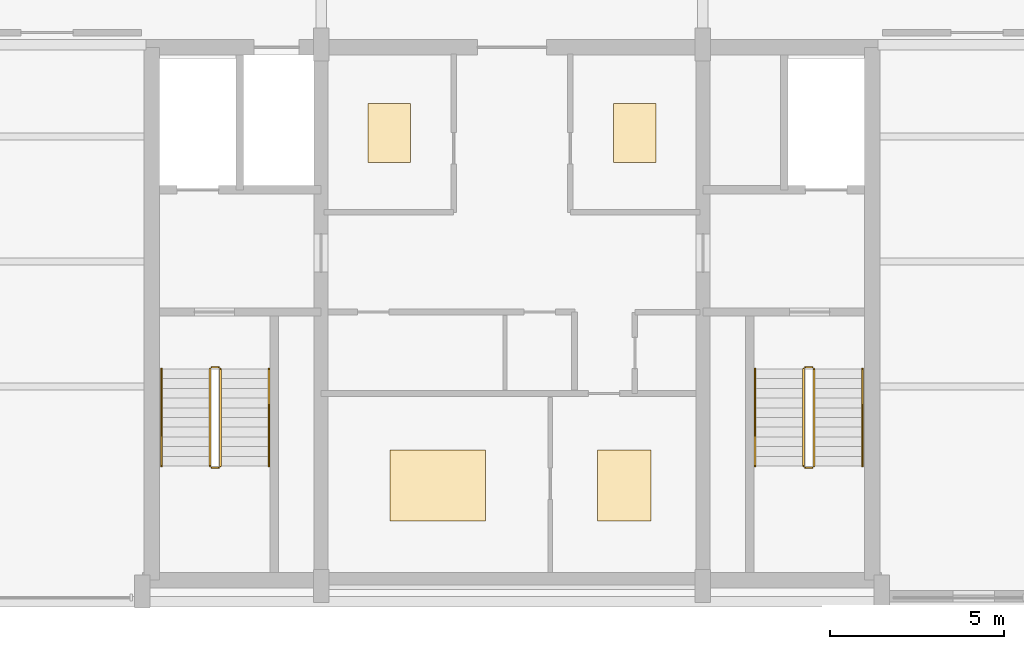
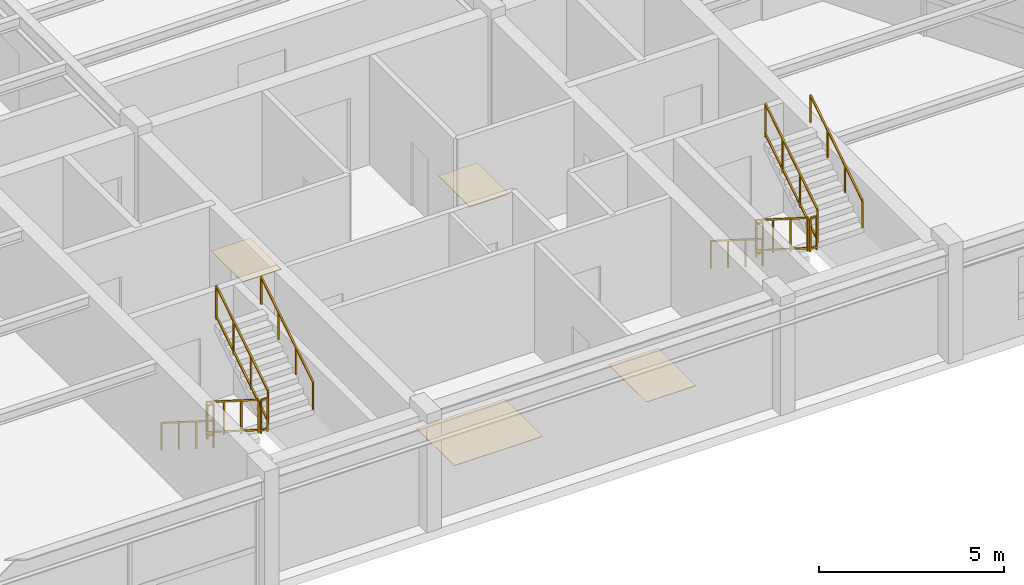
# One storey, part 12 of 12: 12 railings, 4 coverings.
"""IFC4 building model written with IfcOpenShell, lengths in metres."""

from ifc_helpers import new_model, si_unit, direction, frame, origin, origin_2d, place, context, subcontext, project, spatial, rectangle, extrude, source, transform, mapped, material, layer, layer_set, type_object, element, save


model = new_model("IFC4")

# Units and contexts
model_context = context("Model", 3, precision=1e-05, world=origin(), true_north=direction((0.0, 1.0)))
body_context = subcontext(model_context, "Body", "Model", "MODEL_VIEW")
ifc_project = project(units=[si_unit("LENGTHUNIT", "METRE"), si_unit("AREAUNIT", "SQUARE_METRE"), si_unit("VOLUMEUNIT", "CUBIC_METRE"), si_unit("PLANEANGLEUNIT", "RADIAN"), si_unit("MASSUNIT", "GRAM", prefix="KILO")], contexts=[model_context])

# Site, building, storey
site_placement = place(None, origin())
site = spatial("IfcSite", under=ifc_project, at=site_placement, CompositionType="ELEMENT")
building_placement = place(site_placement, origin())
building = spatial("IfcBuilding", under=site, at=building_placement, Name="Varnakhor Terracotta Tower", CompositionType="ELEMENT")
storey_placement = place(building_placement, frame((0.0, 0.0, 309.699951171875)))
storey = spatial("IfcBuildingStorey", under=building, at=storey_placement, Name="L81 Crown", CompositionType="ELEMENT", Elevation=309.699951171875)

# Railings
ifc_material_1 = material(Name="Painted Steel Stairwell Guardrail", Category="steel")
railing_type_1 = type_object("IfcRailingType", Name="RLG-STAIR-GUARD-1120", PredefinedType="GUARDRAIL", material=ifc_material_1)
railing_1_placement = place(storey_placement, frame((-8.699951171875, 6.7099609375, 0.17724609375)))
element("IfcRailing", 1, at=railing_1_placement, inside=storey, type_object=railing_type_1, Name="L81 Crown ST-1 stair guard 1", PredefinedType="GUARDRAIL", context=body_context, shape_type="SweptSolid", body=[
    extrude(rectangle(XDim=0.048095703125, YDim=0.048095703125, at=origin_2d()), frame((0.0, 0.0, 1.09619140625), z_axis=(0.0, -0.844908973607, 0.534910110503), x_axis=(1.0, 0.0, 0.0)), (0.0, 0.0, 1.0), 3.31396484375),
    extrude(rectangle(XDim=0.048095703125, YDim=0.048095703125, at=origin_2d()), frame((0.0, 0.0, 0.10009765625), z_axis=(0.0, -0.844908973607, 0.534910110503), x_axis=(1.0, 0.0, 0.0)), (0.0, 0.0, 1.0), 3.31396484375),
    extrude(rectangle(XDim=0.0419921875, YDim=0.0419921875, at=origin_2d()), origin(), (0.0, 0.0, 1.0), 1.072021484375),
    extrude(rectangle(XDim=0.0419921875, YDim=0.0419921875, at=origin_2d()), frame((0.0, -0.933349609375, 0.5908203125)), (0.0, 0.0, 1.0), 1.072021484375),
    extrude(rectangle(XDim=0.0419921875, YDim=0.0419921875, at=origin_2d()), frame((0.0, -1.86669921875, 1.181884765625)), (0.0, 0.0, 1.0), 1.072021484375),
    extrude(rectangle(XDim=0.0419921875, YDim=0.0419921875, at=origin_2d()), frame((0.0, -2.800048828125, 1.772705078125)), (0.0, 0.0, 1.0), 1.072021484375),
])
railing_2_placement = place(storey_placement, frame((-8.64990234375, 3.860107421875, 1.949951171875)))
element("IfcRailing", 2, at=railing_2_placement, inside=storey, type_object=railing_type_1, Name="L81 Crown ST-1 stair guard 2", PredefinedType="GUARDRAIL", context=body_context, shape_type="SweptSolid", body=[
    extrude(rectangle(XDim=0.048095703125, YDim=0.048095703125, at=origin_2d()), frame((0.0, 0.0, 1.09619140625), z_axis=(1.0, 0.0, 0.0), x_axis=(0.0, 1.0, 0.0)), (0.0, 0.0, 1.0), 0.199951171875),
    extrude(rectangle(XDim=0.048095703125, YDim=0.048095703125, at=origin_2d()), frame((0.0, 0.0, 0.10009765625), z_axis=(1.0, 0.0, 0.0), x_axis=(0.0, 1.0, 0.0)), (0.0, 0.0, 1.0), 0.199951171875),
    extrude(rectangle(XDim=0.0419921875, YDim=0.0419921875, at=origin_2d()), origin(), (0.0, 0.0, 1.0), 1.072021484375),
    extrude(rectangle(XDim=0.0419921875, YDim=0.0419921875, at=origin_2d()), frame((0.199951171875, 0.0, 0.0)), (0.0, 0.0, 1.0), 1.072021484375),
])
railing_3_placement = place(storey_placement, frame((-8.39990234375, 3.909912109375, 2.12744140625)))
element("IfcRailing", 3, at=railing_3_placement, inside=storey, type_object=railing_type_1, Name="L81 Crown ST-1 stair guard 3", PredefinedType="GUARDRAIL", context=body_context, shape_type="SweptSolid", body=[
    extrude(rectangle(XDim=0.048095703125, YDim=0.048095703125, at=origin_2d()), frame((0.0, 0.0, 1.09619140625), z_axis=(0.0, 0.844908973607, 0.534910110503), x_axis=(-1.0, 0.0, 0.0)), (0.0, 0.0, 1.0), 3.31396484375),
    extrude(rectangle(XDim=0.048095703125, YDim=0.048095703125, at=origin_2d()), frame((0.0, 0.0, 0.10009765625), z_axis=(0.0, 0.844908973607, 0.534910110503), x_axis=(-1.0, 0.0, 0.0)), (0.0, 0.0, 1.0), 3.31396484375),
    extrude(rectangle(XDim=0.0419921875, YDim=0.0419921875, at=origin_2d()), origin(), (0.0, 0.0, 1.0), 1.072021484375),
    extrude(rectangle(XDim=0.0419921875, YDim=0.0419921875, at=origin_2d()), frame((0.0, 0.933349609375, 0.5908203125)), (0.0, 0.0, 1.0), 1.072021484375),
    extrude(rectangle(XDim=0.0419921875, YDim=0.0419921875, at=origin_2d()), frame((0.0, 1.86669921875, 1.181884765625)), (0.0, 0.0, 1.0), 1.072021484375),
    extrude(rectangle(XDim=0.0419921875, YDim=0.0419921875, at=origin_2d()), frame((0.0, 2.800048828125, 1.772705078125)), (0.0, 0.0, 1.0), 1.072021484375),
])
railing_4_placement = place(storey_placement, frame((-8.64990234375, 6.760009765625, 0.0)))
element("IfcRailing", 4, at=railing_4_placement, inside=storey, type_object=railing_type_1, Name="L81 Crown ST-1 stair guard 4", PredefinedType="GUARDRAIL", context=body_context, shape_type="SweptSolid", body=[
    extrude(rectangle(XDim=0.048095703125, YDim=0.048095703125, at=origin_2d()), frame((0.0, 0.0, 1.09619140625), z_axis=(1.0, 0.0, 0.0), x_axis=(0.0, 1.0, 0.0)), (0.0, 0.0, 1.0), 0.199951171875),
    extrude(rectangle(XDim=0.048095703125, YDim=0.048095703125, at=origin_2d()), frame((0.0, 0.0, 0.10009765625), z_axis=(1.0, 0.0, 0.0), x_axis=(0.0, 1.0, 0.0)), (0.0, 0.0, 1.0), 0.199951171875),
    extrude(rectangle(XDim=0.0419921875, YDim=0.0419921875, at=origin_2d()), origin(), (0.0, 0.0, 1.0), 1.072021484375),
    extrude(rectangle(XDim=0.0419921875, YDim=0.0419921875, at=origin_2d()), frame((0.199951171875, 0.0, 0.0)), (0.0, 0.0, 1.0), 1.072021484375),
])
railing_5_placement = place(storey_placement, frame((8.39990234375, 6.7099609375, 0.17724609375)))
element("IfcRailing", 5, at=railing_5_placement, inside=storey, type_object=railing_type_1, Name="L81 Crown ST-2 stair guard 1", PredefinedType="GUARDRAIL", context=body_context, shape_type="SweptSolid", body=[
    extrude(rectangle(XDim=0.048095703125, YDim=0.048095703125, at=origin_2d()), frame((0.0, 0.0, 1.09619140625), z_axis=(0.0, -0.844908973607, 0.534910110503), x_axis=(1.0, 0.0, 0.0)), (0.0, 0.0, 1.0), 3.31396484375),
    extrude(rectangle(XDim=0.048095703125, YDim=0.048095703125, at=origin_2d()), frame((0.0, 0.0, 0.10009765625), z_axis=(0.0, -0.844908973607, 0.534910110503), x_axis=(1.0, 0.0, 0.0)), (0.0, 0.0, 1.0), 3.31396484375),
    extrude(rectangle(XDim=0.0419921875, YDim=0.0419921875, at=origin_2d()), origin(), (0.0, 0.0, 1.0), 1.072021484375),
    extrude(rectangle(XDim=0.0419921875, YDim=0.0419921875, at=origin_2d()), frame((0.0, -0.933349609375, 0.5908203125)), (0.0, 0.0, 1.0), 1.072021484375),
    extrude(rectangle(XDim=0.0419921875, YDim=0.0419921875, at=origin_2d()), frame((0.0, -1.86669921875, 1.181884765625)), (0.0, 0.0, 1.0), 1.072021484375),
    extrude(rectangle(XDim=0.0419921875, YDim=0.0419921875, at=origin_2d()), frame((0.0, -2.800048828125, 1.772705078125)), (0.0, 0.0, 1.0), 1.072021484375),
])
railing_6_placement = place(storey_placement, frame((8.449951171875, 3.860107421875, 1.949951171875)))
element("IfcRailing", 6, at=railing_6_placement, inside=storey, type_object=railing_type_1, Name="L81 Crown ST-2 stair guard 2", PredefinedType="GUARDRAIL", context=body_context, shape_type="SweptSolid", body=[
    extrude(rectangle(XDim=0.048095703125, YDim=0.048095703125, at=origin_2d()), frame((0.0, 0.0, 1.09619140625), z_axis=(1.0, 0.0, 0.0), x_axis=(0.0, 1.0, 0.0)), (0.0, 0.0, 1.0), 0.199951171875),
    extrude(rectangle(XDim=0.048095703125, YDim=0.048095703125, at=origin_2d()), frame((0.0, 0.0, 0.10009765625), z_axis=(1.0, 0.0, 0.0), x_axis=(0.0, 1.0, 0.0)), (0.0, 0.0, 1.0), 0.199951171875),
    extrude(rectangle(XDim=0.0419921875, YDim=0.0419921875, at=origin_2d()), origin(), (0.0, 0.0, 1.0), 1.072021484375),
    extrude(rectangle(XDim=0.0419921875, YDim=0.0419921875, at=origin_2d()), frame((0.199951171875, 0.0, 0.0)), (0.0, 0.0, 1.0), 1.072021484375),
])
railing_7_placement = place(storey_placement, frame((8.699951171875, 3.909912109375, 2.12744140625)))
element("IfcRailing", 7, at=railing_7_placement, inside=storey, type_object=railing_type_1, Name="L81 Crown ST-2 stair guard 3", PredefinedType="GUARDRAIL", context=body_context, shape_type="SweptSolid", body=[
    extrude(rectangle(XDim=0.048095703125, YDim=0.048095703125, at=origin_2d()), frame((0.0, 0.0, 1.09619140625), z_axis=(0.0, 0.844908973607, 0.534910110503), x_axis=(-1.0, 0.0, 0.0)), (0.0, 0.0, 1.0), 3.31396484375),
    extrude(rectangle(XDim=0.048095703125, YDim=0.048095703125, at=origin_2d()), frame((0.0, 0.0, 0.10009765625), z_axis=(0.0, 0.844908973607, 0.534910110503), x_axis=(-1.0, 0.0, 0.0)), (0.0, 0.0, 1.0), 3.31396484375),
    extrude(rectangle(XDim=0.0419921875, YDim=0.0419921875, at=origin_2d()), origin(), (0.0, 0.0, 1.0), 1.072021484375),
    extrude(rectangle(XDim=0.0419921875, YDim=0.0419921875, at=origin_2d()), frame((0.0, 0.933349609375, 0.5908203125)), (0.0, 0.0, 1.0), 1.072021484375),
    extrude(rectangle(XDim=0.0419921875, YDim=0.0419921875, at=origin_2d()), frame((0.0, 1.86669921875, 1.181884765625)), (0.0, 0.0, 1.0), 1.072021484375),
    extrude(rectangle(XDim=0.0419921875, YDim=0.0419921875, at=origin_2d()), frame((0.0, 2.800048828125, 1.772705078125)), (0.0, 0.0, 1.0), 1.072021484375),
])
railing_8_placement = place(storey_placement, frame((8.449951171875, 6.760009765625, 0.0)))
element("IfcRailing", 8, at=railing_8_placement, inside=storey, type_object=railing_type_1, Name="L81 Crown ST-2 stair guard 4", PredefinedType="GUARDRAIL", context=body_context, shape_type="SweptSolid", body=[
    extrude(rectangle(XDim=0.048095703125, YDim=0.048095703125, at=origin_2d()), frame((0.0, 0.0, 1.09619140625), z_axis=(1.0, 0.0, 0.0), x_axis=(0.0, 1.0, 0.0)), (0.0, 0.0, 1.0), 0.199951171875),
    extrude(rectangle(XDim=0.048095703125, YDim=0.048095703125, at=origin_2d()), frame((0.0, 0.0, 0.10009765625), z_axis=(1.0, 0.0, 0.0), x_axis=(0.0, 1.0, 0.0)), (0.0, 0.0, 1.0), 0.199951171875),
    extrude(rectangle(XDim=0.0419921875, YDim=0.0419921875, at=origin_2d()), origin(), (0.0, 0.0, 1.0), 1.072021484375),
    extrude(rectangle(XDim=0.0419921875, YDim=0.0419921875, at=origin_2d()), frame((0.199951171875, 0.0, 0.0)), (0.0, 0.0, 1.0), 1.072021484375),
])
ifc_material_2 = material(Name="Brushed Stainless Steel Handrail", Category="steel")
railing_type_2 = type_object("IfcRailingType", Name="RLG-STAIR-HANDRAIL-920", PredefinedType="HANDRAIL", material=ifc_material_2)
railing_9_placement = place(storey_placement, frame((-10.10009765625, 6.7099609375, 0.17724609375)))
element("IfcRailing", 9, at=railing_9_placement, inside=storey, type_object=railing_type_2, Name="L81 Crown ST-1 stair handrail 1", PredefinedType="HANDRAIL", context=body_context, shape_type="SweptSolid", body=[
    extrude(rectangle(XDim=0.048095703125, YDim=0.048095703125, at=origin_2d()), frame((0.0, 0.0, 0.89599609375), z_axis=(0.0, -0.844908973607, 0.534910110503), x_axis=(1.0, 0.0, 0.0)), (0.0, 0.0, 1.0), 3.31396484375),
    extrude(rectangle(XDim=0.0419921875, YDim=0.0419921875, at=origin_2d()), origin(), (0.0, 0.0, 1.0), 0.871826171875),
    extrude(rectangle(XDim=0.0419921875, YDim=0.0419921875, at=origin_2d()), frame((0.0, -0.933349609375, 0.5908203125)), (0.0, 0.0, 1.0), 0.871826171875),
    extrude(rectangle(XDim=0.0419921875, YDim=0.0419921875, at=origin_2d()), frame((0.0, -1.86669921875, 1.181884765625)), (0.0, 0.0, 1.0), 0.871826171875),
    extrude(rectangle(XDim=0.0419921875, YDim=0.0419921875, at=origin_2d()), frame((0.0, -2.800048828125, 1.772705078125)), (0.0, 0.0, 1.0), 0.871826171875),
])
railing_10_placement = place(storey_placement, frame((-7.0, 3.909912109375, 2.12744140625)))
element("IfcRailing", 10, at=railing_10_placement, inside=storey, type_object=railing_type_2, Name="L81 Crown ST-1 stair handrail 2", PredefinedType="HANDRAIL", context=body_context, shape_type="SweptSolid", body=[
    extrude(rectangle(XDim=0.048095703125, YDim=0.048095703125, at=origin_2d()), frame((0.0, 0.0, 0.89599609375), z_axis=(0.0, 0.844908973607, 0.534910110503), x_axis=(-1.0, 0.0, 0.0)), (0.0, 0.0, 1.0), 3.31396484375),
    extrude(rectangle(XDim=0.0419921875, YDim=0.0419921875, at=origin_2d()), origin(), (0.0, 0.0, 1.0), 0.871826171875),
    extrude(rectangle(XDim=0.0419921875, YDim=0.0419921875, at=origin_2d()), frame((0.0, 0.933349609375, 0.5908203125)), (0.0, 0.0, 1.0), 0.871826171875),
    extrude(rectangle(XDim=0.0419921875, YDim=0.0419921875, at=origin_2d()), frame((0.0, 1.86669921875, 1.181884765625)), (0.0, 0.0, 1.0), 0.871826171875),
    extrude(rectangle(XDim=0.0419921875, YDim=0.0419921875, at=origin_2d()), frame((0.0, 2.800048828125, 1.772705078125)), (0.0, 0.0, 1.0), 0.871826171875),
])
railing_11_placement = place(storey_placement, frame((7.0, 6.7099609375, 0.17724609375)))
element("IfcRailing", 11, at=railing_11_placement, inside=storey, type_object=railing_type_2, Name="L81 Crown ST-2 stair handrail 1", PredefinedType="HANDRAIL", context=body_context, shape_type="SweptSolid", body=[
    extrude(rectangle(XDim=0.048095703125, YDim=0.048095703125, at=origin_2d()), frame((0.0, 0.0, 0.89599609375), z_axis=(0.0, -0.844908973607, 0.534910110503), x_axis=(1.0, 0.0, 0.0)), (0.0, 0.0, 1.0), 3.31396484375),
    extrude(rectangle(XDim=0.0419921875, YDim=0.0419921875, at=origin_2d()), origin(), (0.0, 0.0, 1.0), 0.871826171875),
    extrude(rectangle(XDim=0.0419921875, YDim=0.0419921875, at=origin_2d()), frame((0.0, -0.933349609375, 0.5908203125)), (0.0, 0.0, 1.0), 0.871826171875),
    extrude(rectangle(XDim=0.0419921875, YDim=0.0419921875, at=origin_2d()), frame((0.0, -1.86669921875, 1.181884765625)), (0.0, 0.0, 1.0), 0.871826171875),
    extrude(rectangle(XDim=0.0419921875, YDim=0.0419921875, at=origin_2d()), frame((0.0, -2.800048828125, 1.772705078125)), (0.0, 0.0, 1.0), 0.871826171875),
])
railing_12_placement = place(storey_placement, frame((10.10009765625, 3.909912109375, 2.12744140625)))
element("IfcRailing", 12, at=railing_12_placement, inside=storey, type_object=railing_type_2, Name="L81 Crown ST-2 stair handrail 2", PredefinedType="HANDRAIL", context=body_context, shape_type="SweptSolid", body=[
    extrude(rectangle(XDim=0.048095703125, YDim=0.048095703125, at=origin_2d()), frame((0.0, 0.0, 0.89599609375), z_axis=(0.0, 0.844908973607, 0.534910110503), x_axis=(-1.0, 0.0, 0.0)), (0.0, 0.0, 1.0), 3.31396484375),
    extrude(rectangle(XDim=0.0419921875, YDim=0.0419921875, at=origin_2d()), origin(), (0.0, 0.0, 1.0), 0.871826171875),
    extrude(rectangle(XDim=0.0419921875, YDim=0.0419921875, at=origin_2d()), frame((0.0, 0.933349609375, 0.5908203125)), (0.0, 0.0, 1.0), 0.871826171875),
    extrude(rectangle(XDim=0.0419921875, YDim=0.0419921875, at=origin_2d()), frame((0.0, 1.86669921875, 1.181884765625)), (0.0, 0.0, 1.0), 0.871826171875),
    extrude(rectangle(XDim=0.0419921875, YDim=0.0419921875, at=origin_2d()), frame((0.0, 2.800048828125, 1.772705078125)), (0.0, 0.0, 1.0), 0.871826171875),
])

# Coverings
ifc_material_3 = material(Name="Insulated Elastomeric Waterproof Roofing Membrane", Category="other")
ifc_layer = layer(ifc_material_3, 0.034912109375, Name="Insulated Elastomeric Waterproof Roofing Membrane")
ifc_layer_set = layer_set([ifc_layer], Name="Insulated Elastomeric Waterproof Roofing Membrane")
covering_type = type_object("IfcCoveringType", Name="COV-ROOF-MEMBRANE", PredefinedType="ROOFING", material=ifc_layer_set)
shared_shape_1 = source(origin(), body_context, "Body", "SweptSolid", [
    extrude(rectangle(XDim=2.75, YDim=2.041015625, at=origin_2d()), origin(), (0.0, 0.0, 1.0), 0.014892578125),
])
covering_1_placement = place(storey_placement, frame((-2.139892578125, 3.35498046875, 0.0), z_axis=(0.0, 0.0, 1.0), x_axis=(1.0, 0.0, 0.0)))
element("IfcCovering", 13, at=covering_1_placement, inside=storey, type_object=covering_type, Name="L81 Crown Waterproof Plant Membrane 1", PredefinedType="ROOFING", context=body_context, shape_type="MappedRepresentation", body=[
    mapped(shared_shape_1, transform((0.0, 0.0, 0.0), scale=1.0)),
])
shared_shape_2 = source(origin(), body_context, "Body", "SweptSolid", [
    extrude(rectangle(XDim=1.5400390625, YDim=2.041015625, at=origin_2d()), origin(), (0.0, 0.0, 1.0), 0.014892578125),
])
covering_2_placement = place(storey_placement, frame((3.239990234375, 3.35498046875, 0.0), z_axis=(0.0, 0.0, 1.0), x_axis=(1.0, 0.0, 0.0)))
element("IfcCovering", 14, at=covering_2_placement, inside=storey, type_object=covering_type, Name="L81 Crown Waterproof Plant Membrane 2", PredefinedType="ROOFING", context=body_context, shape_type="MappedRepresentation", body=[
    mapped(shared_shape_2, transform((0.0, 0.0, 0.0), scale=1.0)),
])
shared_shape_3 = source(origin(), body_context, "Body", "SweptSolid", [
    extrude(rectangle(XDim=1.215087890625, YDim=1.694091796875, at=origin_2d()), origin(), (0.0, 0.0, 1.0), 0.014892578125),
])
for number, where, z_axis, x_axis, name in (
    (15, (-3.534912109375, 13.510009765625, 0.0), (0.0, 0.0, 1.0), (1.0, 0.0, 0.0), "L81 Crown Waterproof Plant Membrane 3"),
    (16, (3.534912109375, 13.510009765625, 0.0), (0.0, 0.0, 1.0), (1.0, 0.0, 0.0), "L81 Crown Waterproof Plant Membrane 4"),
):
    element("IfcCovering", number, at=place(storey_placement, frame(where, z_axis=z_axis, x_axis=x_axis)), inside=storey, type_object=covering_type, Name=name, PredefinedType="ROOFING", context=body_context, shape_type="MappedRepresentation", body=[
        mapped(shared_shape_3, transform((0.0, 0.0, 0.0), scale=1.0)),
    ])

save(model, "model.ifc")
